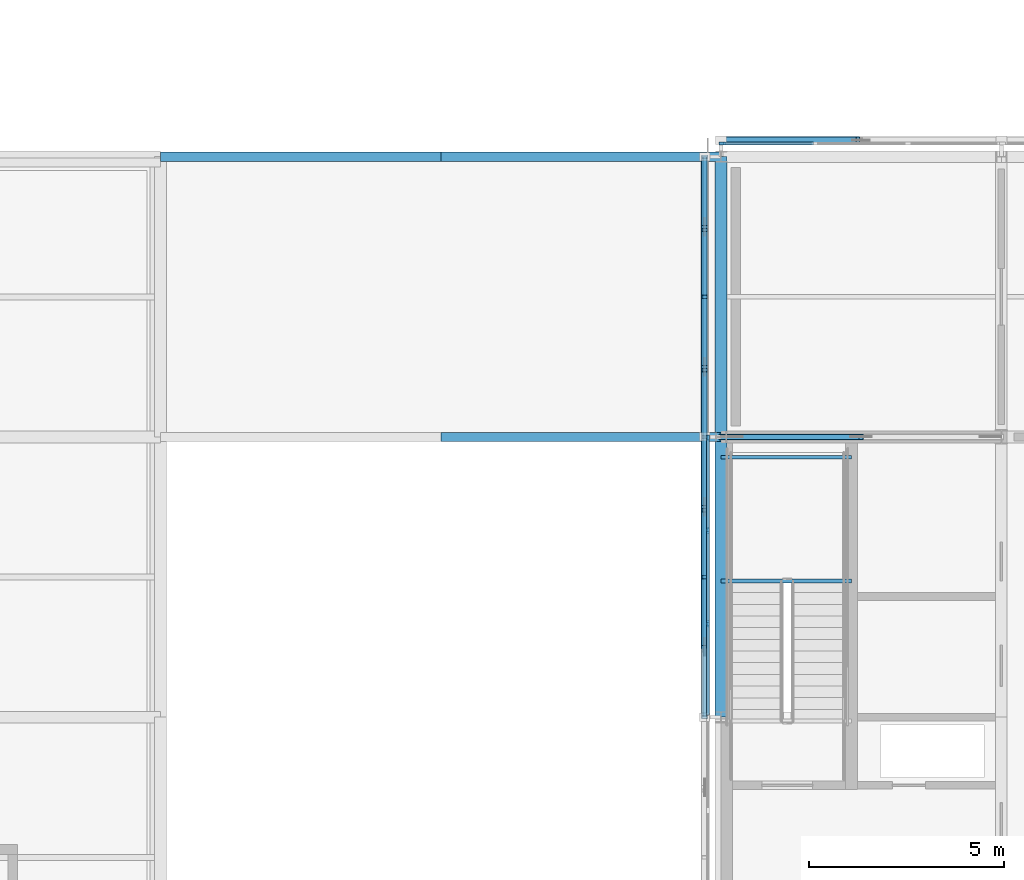
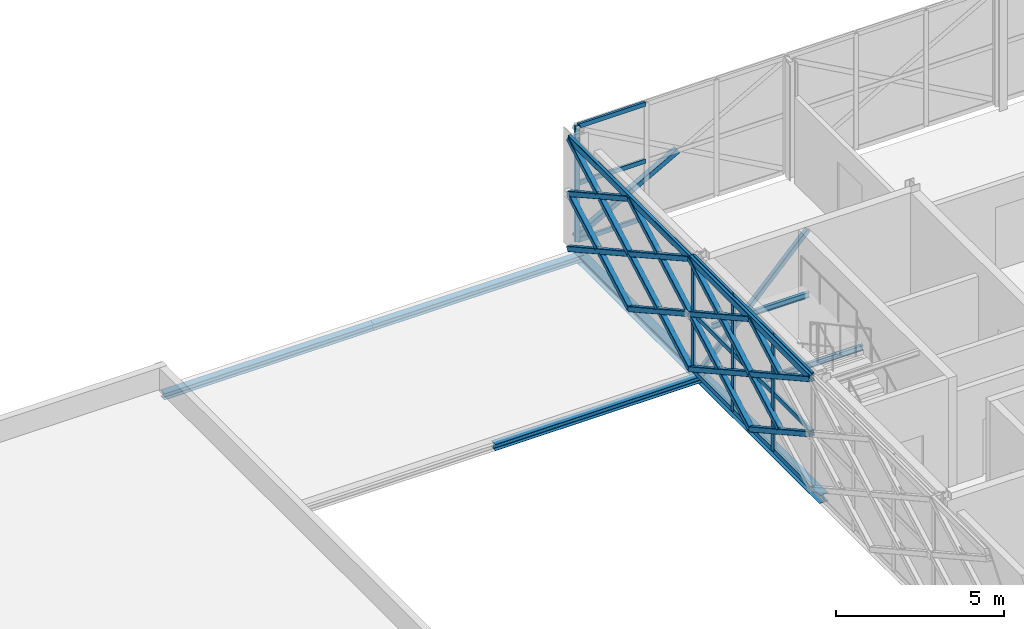
# One storey, part 31 of 103: 42 members, 7 beams, 2 elements without a shape of their own.
"""IFC4 building model written with IfcOpenShell, lengths in metres."""

from ifc_helpers import new_model, si_unit, direction, frame, origin, origin_2d, place, context, subcontext, project, spatial, rectangle, hollow_rectangle, i_section, extrude, material, material_profile, profile_set, type_object, element, aggregate, save


model = new_model("IFC4")

# Units and contexts
model_context = context("Model", 3, precision=1e-05, world=origin(), true_north=direction((0.0, 1.0)))
body_context = subcontext(model_context, "Body", "Model", "MODEL_VIEW")
ifc_project = project(units=[si_unit("LENGTHUNIT", "METRE"), si_unit("AREAUNIT", "SQUARE_METRE"), si_unit("VOLUMEUNIT", "CUBIC_METRE"), si_unit("PLANEANGLEUNIT", "RADIAN"), si_unit("MASSUNIT", "GRAM", prefix="KILO")], contexts=[model_context])

# Site, building, storey
site_placement = place(None, origin())
site = spatial("IfcSite", under=ifc_project, at=site_placement, CompositionType="ELEMENT")
building_placement = place(site_placement, origin())
building = spatial("IfcBuilding", under=site, at=building_placement, Name="Zlatovets Crest Museum", CompositionType="ELEMENT")
storey_placement = place(building_placement, frame((0.0, 0.0, 12.89990234375)))
storey = spatial("IfcBuildingStorey", under=building, at=storey_placement, Name="L03", CompositionType="ELEMENT", Elevation=12.89990234375)

# Beams
ifc_material_1 = material(Name="Structural steel S355J2", Category="steel")
ifc_material_profile_1 = material_profile(ifc_material_1, i_section(OverallWidth=0.300048828125, OverallDepth=0.31005859375, WebThickness=0.009033203125, FlangeThickness=0.015380859375, FilletRadius=0.027099609375, at=origin_2d()), Name="HEA 320")
ifc_profile_set_1 = profile_set([ifc_material_profile_1], Name="Structural steel S355J2")
beam_type_1 = type_object("IfcBeamType", Name="Beam_B-04", PredefinedType="BEAM", material=ifc_profile_set_1)
beam_1_placement = place(storey_placement, frame((57.60009765625, 14.39990234375, -0.39501953125), z_axis=(0.0, 1.0, 0.0), x_axis=(-1.0, 0.0, 0.0)))
element("IfcBeam", 1, at=beam_1_placement, inside=storey, type_object=beam_type_1, Name="V2 L03 Grid Beam B-04", PredefinedType="BEAM", context=body_context, shape_type="SweptSolid", body=[
    extrude(i_section(OverallWidth=0.300048828125, OverallDepth=0.31005859375, WebThickness=0.009033203125, FlangeThickness=0.015380859375, FilletRadius=0.027099609375, at=origin_2d()), origin(), (0.0, 0.0, 1.0), 7.2001953125),
])
beam_2_placement = place(storey_placement, frame((57.60009765625, 21.60009765625, -0.39501953125), z_axis=(0.0, 1.0, 0.0), x_axis=(-1.0, 0.0, 0.0)))
element("IfcBeam", 2, at=beam_2_placement, inside=storey, type_object=beam_type_1, Name="V2 L03 Grid Beam B-04", PredefinedType="BEAM", context=body_context, shape_type="SweptSolid", body=[
    extrude(i_section(OverallWidth=0.300048828125, OverallDepth=0.31005859375, WebThickness=0.009033203125, FlangeThickness=0.015380859375, FilletRadius=0.027099609375, at=origin_2d()), origin(), (0.0, 0.0, 1.0), 7.199951171875),
])
ifc_material_profile_2 = material_profile(ifc_material_1, i_section(OverallWidth=0.239990234375, OverallDepth=0.22998046875, WebThickness=0.007568359375, FlangeThickness=0.011962890625, FilletRadius=0.02099609375, at=origin_2d()), Name="HEA 240")
ifc_profile_set_2 = profile_set([ifc_material_profile_2], Name="Structural steel S355J2")
beam_type_2 = type_object("IfcBeamType", Name="Beam_B-06", PredefinedType="BEAM", material=ifc_profile_set_2)
beam_3_placement = place(storey_placement, frame((50.39990234375, 21.60009765625, -0.3349609375), z_axis=(1.0, 0.0, 0.0), x_axis=(0.0, 1.0, 0.0)))
element("IfcBeam", 3, at=beam_3_placement, inside=storey, type_object=beam_type_2, Name="South Forecourt Glazed Link Bridge Roof Edge Beam", PredefinedType="BEAM", context=body_context, shape_type="SweptSolid", body=[
    extrude(i_section(OverallWidth=0.239990234375, OverallDepth=0.22998046875, WebThickness=0.007568359375, FlangeThickness=0.011962890625, FilletRadius=0.02099609375, at=origin_2d()), origin(), (0.0, 0.0, 1.0), 7.2001953125),
])
beam_4_placement = place(storey_placement, frame((43.199951171875, 28.800048828125, -0.3349609375), z_axis=(1.0, 0.0, 0.0), x_axis=(0.0, 1.0, 0.0)))
element("IfcBeam", 4, at=beam_4_placement, inside=storey, type_object=beam_type_2, Name="South Forecourt Glazed Link Bridge Roof Edge Beam", PredefinedType="BEAM", context=body_context, shape_type="SweptSolid", body=[
    extrude(i_section(OverallWidth=0.239990234375, OverallDepth=0.22998046875, WebThickness=0.007568359375, FlangeThickness=0.011962890625, FilletRadius=0.02099609375, at=origin_2d()), origin(), (0.0, 0.0, 1.0), 7.199951171875),
])
beam_5_placement = place(storey_placement, frame((50.39990234375, 28.800048828125, -0.3349609375), z_axis=(1.0, 0.0, 0.0), x_axis=(0.0, 1.0, 0.0)))
element("IfcBeam", 5, at=beam_5_placement, inside=storey, type_object=beam_type_2, Name="South Forecourt Glazed Link Bridge Roof Edge Beam", PredefinedType="BEAM", context=body_context, shape_type="SweptSolid", body=[
    extrude(i_section(OverallWidth=0.239990234375, OverallDepth=0.22998046875, WebThickness=0.007568359375, FlangeThickness=0.011962890625, FilletRadius=0.02099609375, at=origin_2d()), origin(), (0.0, 0.0, 1.0), 7.2001953125),
])
ifc_material_profile_3 = material_profile(ifc_material_1, i_section(OverallWidth=0.10009765625, OverallDepth=0.199951171875, WebThickness=0.005615234375, FlangeThickness=0.008544921875, FilletRadius=0.011962890625, at=origin_2d()), Name="IPE 200")
ifc_profile_set_3 = profile_set([ifc_material_profile_3], Name="Structural steel S355J2")
beam_type_3 = type_object("IfcBeamType", Name="Beam_PR-02", PredefinedType="LINTEL", material=ifc_profile_set_3)
for number, where, z_axis, x_axis, name in (
    (6, (57.60009765625, 17.89990234375, 1.800048828125), (1.0, 0.0, 0.0), (0.0, 1.0, 0.0), "Core C2 L03 Half-Landing Support Beam"),
    (7, (57.60009765625, 21.080078125, 1.800048828125), (1.0, 0.0, 0.0), (0.0, 1.0, 0.0), "Core C2 L03 Half-Landing Support Beam"),
):
    element("IfcBeam", number, at=place(storey_placement, frame(where, z_axis=z_axis, x_axis=x_axis)), inside=storey, type_object=beam_type_3, Name=name, PredefinedType="LINTEL", context=body_context, shape_type="SweptSolid", body=[
        extrude(i_section(OverallWidth=0.10009765625, OverallDepth=0.199951171875, WebThickness=0.005615234375, FlangeThickness=0.008544921875, FilletRadius=0.011962890625, at=origin_2d()), origin(), (0.0, 0.0, 1.0), 3.349853515625),
    ])

# Curtain wall, member
ifc_material_2 = material(Name="Bronze-anodised aluminium and low-E triple glass", Category="aluminium")
curtain_wall_type_1 = type_object("IfcCurtainWallType", Name="CW_CW-V2-L03-M1", PredefinedType="NOTDEFINED", material=ifc_material_2)
curtain_wall_1_placement = place(storey_placement, origin())
curtain_wall_1 = element("IfcCurtainWall", 8, at=curtain_wall_1_placement, inside=storey, type_object=curtain_wall_type_1, Name="V2 L03 Secession Foyer Clear Curtain Wall", PredefinedType="NOTDEFINED")
ifc_material_3 = material(Name="Bronze-anodised aluminium EN AW-6060", Category="aluminium")
ifc_material_profile_4 = material_profile(ifc_material_3, rectangle(XDim=0.080078125, YDim=0.159912109375, at=origin_2d()), Name="ALU 80x160")
ifc_profile_set_4 = profile_set([ifc_material_profile_4], Name="Bronze-anodised aluminium EN AW-6060")
member_type_1 = type_object("IfcMemberType", Name="CWMull_M1", PredefinedType="MULLION", material=ifc_profile_set_4)
member_1_placement = place(storey_placement, frame((57.6298828125, 29.139892578125, 0.0), z_axis=(0.0, 0.0, 1.0), x_axis=(0.0, -1.0, 0.0)))
member_1 = element("IfcMember", 9, at=member_1_placement, type_object=member_type_1, Name="CW-V2-L03-M1 mullion 4", PredefinedType="MULLION", context=body_context, shape_type="SweptSolid", body=[
    extrude(rectangle(XDim=0.080078125, YDim=0.159912109375, at=origin_2d()), origin(), (0.0, 0.0, 1.0), 4.2001953125),
])

# Curtain wall, members
curtain_wall_type_2 = type_object("IfcCurtainWallType", Name="CW_CW-V2-L03-M3", PredefinedType="NOTDEFINED", material=ifc_material_2)
curtain_wall_2_placement = place(storey_placement, origin())
curtain_wall_2 = element("IfcCurtainWall", 10, at=curtain_wall_2_placement, inside=storey, type_object=curtain_wall_type_2, Name="V2 L03 Expressed Core Glazed Facade", PredefinedType="NOTDEFINED")
member_2_placement = place(storey_placement, frame((57.260009765625, 21.570068359375, 0.0), z_axis=(0.0, 0.0, 1.0), x_axis=(1.0, 0.0, 0.0)))
member_2 = element("IfcMember", 11, at=member_2_placement, type_object=member_type_1, Name="CW-V2-L03-M3 mullion 1", PredefinedType="MULLION", context=body_context, shape_type="SweptSolid", body=[
    extrude(rectangle(XDim=0.080078125, YDim=0.159912109375, at=origin_2d()), origin(), (0.0, 0.0, 1.0), 4.2001953125),
])
member_3_placement = place(storey_placement, frame((57.260009765625, 19.199951171875, 0.0), z_axis=(0.0, 0.0, 1.0), x_axis=(1.0, 0.0, 0.0)))
member_3 = element("IfcMember", 12, at=member_3_placement, type_object=member_type_1, Name="CW-V2-L03-M3 mullion 2", PredefinedType="MULLION", context=body_context, shape_type="SweptSolid", body=[
    extrude(rectangle(XDim=0.080078125, YDim=0.159912109375, at=origin_2d()), origin(), (0.0, 0.0, 1.0), 4.2001953125),
])
member_4_placement = place(storey_placement, frame((57.260009765625, 16.800048828125, 0.0), z_axis=(0.0, 0.0, 1.0), x_axis=(1.0, 0.0, 0.0)))
member_4 = element("IfcMember", 13, at=member_4_placement, type_object=member_type_1, Name="CW-V2-L03-M3 mullion 3", PredefinedType="MULLION", context=body_context, shape_type="SweptSolid", body=[
    extrude(rectangle(XDim=0.080078125, YDim=0.159912109375, at=origin_2d()), origin(), (0.0, 0.0, 1.0), 4.2001953125),
])

# Member
ifc_material_profile_5 = material_profile(ifc_material_3, rectangle(XDim=0.080078125, YDim=0.159912109375, at=origin_2d()), Name="ALU 80x160")
ifc_profile_set_5 = profile_set([ifc_material_profile_5], Name="Bronze-anodised aluminium EN AW-6060")
member_type_2 = type_object("IfcMemberType", Name="CWTrans_T1", PredefinedType="USERDEFINED", material=ifc_profile_set_5)
member_5_placement = place(storey_placement, frame((59.969970703125, 29.139892578125, 0.030029296875), z_axis=(-1.0, 0.0, 0.0), x_axis=(0.0, -1.0, 0.0)))
member_5 = element("IfcMember", 14, at=member_5_placement, type_object=member_type_2, Name="CW-V2-L03-M1 transom 3.1", ObjectType="TRANSOM", PredefinedType="USERDEFINED", context=body_context, shape_type="SweptSolid", body=[
    extrude(rectangle(XDim=0.080078125, YDim=0.159912109375, at=origin_2d()), origin(), (0.0, 0.0, 1.0), 2.31005859375),
])

member_6_placement = place(storey_placement, frame((59.969970703125, 29.139892578125, 2.10009765625), z_axis=(-1.0, 0.0, 0.0), x_axis=(0.0, -1.0, 0.0)))
member_6 = element("IfcMember", 15, at=member_6_placement, type_object=member_type_2, Name="CW-V2-L03-M1 transom 3.2", ObjectType="TRANSOM", PredefinedType="USERDEFINED", context=body_context, shape_type="SweptSolid", body=[
    extrude(rectangle(XDim=0.080078125, YDim=0.159912109375, at=origin_2d()), origin(), (0.0, 0.0, 1.0), 2.31005859375),
])

member_7_placement = place(storey_placement, frame((59.969970703125, 29.139892578125, 4.170166015625), z_axis=(-1.0, 0.0, 0.0), x_axis=(0.0, -1.0, 0.0)))
member_7 = element("IfcMember", 16, at=member_7_placement, type_object=member_type_2, Name="CW-V2-L03-M1 transom 3.3", ObjectType="TRANSOM", PredefinedType="USERDEFINED", context=body_context, shape_type="SweptSolid", body=[
    extrude(rectangle(XDim=0.080078125, YDim=0.159912109375, at=origin_2d()), origin(), (0.0, 0.0, 1.0), 2.31005859375),
])

aggregate(curtain_wall_1, [member_1, member_5, member_6, member_7])

member_8_placement = place(storey_placement, frame((57.260009765625, 21.5400390625, 0.030029296875), z_axis=(0.0, -1.0, 0.0), x_axis=(1.0, 0.0, 0.0)))
member_8 = element("IfcMember", 17, at=member_8_placement, type_object=member_type_2, Name="CW-V2-L03-M3 transom 1.1", ObjectType="TRANSOM", PredefinedType="USERDEFINED", context=body_context, shape_type="SweptSolid", body=[
    extrude(rectangle(XDim=0.080078125, YDim=0.159912109375, at=origin_2d()), origin(), (0.0, 0.0, 1.0), 2.31005859375),
])

member_9_placement = place(storey_placement, frame((57.260009765625, 21.5400390625, 2.10009765625), z_axis=(0.0, -1.0, 0.0), x_axis=(1.0, 0.0, 0.0)))
member_9 = element("IfcMember", 18, at=member_9_placement, type_object=member_type_2, Name="CW-V2-L03-M3 transom 1.2", ObjectType="TRANSOM", PredefinedType="USERDEFINED", context=body_context, shape_type="SweptSolid", body=[
    extrude(rectangle(XDim=0.080078125, YDim=0.159912109375, at=origin_2d()), origin(), (0.0, 0.0, 1.0), 2.31005859375),
])

member_10_placement = place(storey_placement, frame((57.260009765625, 21.5400390625, 4.170166015625), z_axis=(0.0, -1.0, 0.0), x_axis=(1.0, 0.0, 0.0)))
member_10 = element("IfcMember", 19, at=member_10_placement, type_object=member_type_2, Name="CW-V2-L03-M3 transom 1.3", ObjectType="TRANSOM", PredefinedType="USERDEFINED", context=body_context, shape_type="SweptSolid", body=[
    extrude(rectangle(XDim=0.080078125, YDim=0.159912109375, at=origin_2d()), origin(), (0.0, 0.0, 1.0), 2.31005859375),
])

member_11_placement = place(storey_placement, frame((57.260009765625, 19.169921875, 0.030029296875), z_axis=(0.0, -1.0, 0.0), x_axis=(1.0, 0.0, 0.0)))
member_11 = element("IfcMember", 20, at=member_11_placement, type_object=member_type_2, Name="CW-V2-L03-M3 transom 2.1", ObjectType="TRANSOM", PredefinedType="USERDEFINED", context=body_context, shape_type="SweptSolid", body=[
    extrude(rectangle(XDim=0.080078125, YDim=0.159912109375, at=origin_2d()), origin(), (0.0, 0.0, 1.0), 2.33984375),
])

member_12_placement = place(storey_placement, frame((57.260009765625, 19.169921875, 2.10009765625), z_axis=(0.0, -1.0, 0.0), x_axis=(1.0, 0.0, 0.0)))
member_12 = element("IfcMember", 21, at=member_12_placement, type_object=member_type_2, Name="CW-V2-L03-M3 transom 2.2", ObjectType="TRANSOM", PredefinedType="USERDEFINED", context=body_context, shape_type="SweptSolid", body=[
    extrude(rectangle(XDim=0.080078125, YDim=0.159912109375, at=origin_2d()), origin(), (0.0, 0.0, 1.0), 2.33984375),
])

member_13_placement = place(storey_placement, frame((57.260009765625, 19.169921875, 4.170166015625), z_axis=(0.0, -1.0, 0.0), x_axis=(1.0, 0.0, 0.0)))
member_13 = element("IfcMember", 22, at=member_13_placement, type_object=member_type_2, Name="CW-V2-L03-M3 transom 2.3", ObjectType="TRANSOM", PredefinedType="USERDEFINED", context=body_context, shape_type="SweptSolid", body=[
    extrude(rectangle(XDim=0.080078125, YDim=0.159912109375, at=origin_2d()), origin(), (0.0, 0.0, 1.0), 2.33984375),
])

member_14_placement = place(storey_placement, frame((57.260009765625, 16.77001953125, 0.030029296875), z_axis=(0.0, -1.0, 0.0), x_axis=(1.0, 0.0, 0.0)))
member_14 = element("IfcMember", 23, at=member_14_placement, type_object=member_type_2, Name="CW-V2-L03-M3 transom 3.1", ObjectType="TRANSOM", PredefinedType="USERDEFINED", context=body_context, shape_type="SweptSolid", body=[
    extrude(rectangle(XDim=0.080078125, YDim=0.159912109375, at=origin_2d()), origin(), (0.0, 0.0, 1.0), 2.31005859375),
])

member_15_placement = place(storey_placement, frame((57.260009765625, 16.77001953125, 2.10009765625), z_axis=(0.0, -1.0, 0.0), x_axis=(1.0, 0.0, 0.0)))
member_15 = element("IfcMember", 24, at=member_15_placement, type_object=member_type_2, Name="CW-V2-L03-M3 transom 3.2", ObjectType="TRANSOM", PredefinedType="USERDEFINED", context=body_context, shape_type="SweptSolid", body=[
    extrude(rectangle(XDim=0.080078125, YDim=0.159912109375, at=origin_2d()), origin(), (0.0, 0.0, 1.0), 2.31005859375),
])

member_16_placement = place(storey_placement, frame((57.260009765625, 16.77001953125, 4.170166015625), z_axis=(0.0, -1.0, 0.0), x_axis=(1.0, 0.0, 0.0)))
member_16 = element("IfcMember", 25, at=member_16_placement, type_object=member_type_2, Name="CW-V2-L03-M3 transom 3.3", ObjectType="TRANSOM", PredefinedType="USERDEFINED", context=body_context, shape_type="SweptSolid", body=[
    extrude(rectangle(XDim=0.080078125, YDim=0.159912109375, at=origin_2d()), origin(), (0.0, 0.0, 1.0), 2.31005859375),
])

aggregate(curtain_wall_2, [member_2, member_3, member_4, member_8, member_9, member_10, member_11, member_12, member_13, member_14, member_15, member_16])

# Members
ifc_material_4 = material(Name="Weathering bronze-steel S355J2W", Category="steel")
ifc_material_profile_6 = material_profile(ifc_material_4, hollow_rectangle(XDim=0.179931640625, YDim=0.179931640625, WallThickness=0.010009765625, InnerFilletRadius=0.010009765625, OuterFilletRadius=0.02001953125, at=origin_2d()), Name="SHS 180x180x10.0")
ifc_profile_set_6 = profile_set([ifc_material_profile_6], Name="Weathering bronze-steel S355J2W")
member_type_3 = type_object("IfcMemberType", Name="Lattice_XL-01", PredefinedType="BRACE", material=ifc_profile_set_6)
member_17_placement = place(storey_placement, frame((57.179931640625, 28.800048828125, 0.10009765625), z_axis=(0.0, -0.874162868644, 0.485632864501), x_axis=(1.0, 0.0, 0.0)))
element("IfcMember", 26, at=member_17_placement, inside=storey, type_object=member_type_3, Name="Continuous Bronze Lattice Diagonal", PredefinedType="BRACE", context=body_context, shape_type="SweptSolid", body=[
    extrude(hollow_rectangle(XDim=0.179931640625, YDim=0.179931640625, WallThickness=0.010009765625, InnerFilletRadius=0.010009765625, OuterFilletRadius=0.02001953125, at=origin_2d()), origin(), (0.0, 0.0, 1.0), 4.118408203125),
])
for number, where, z_axis, x_axis, name in (
    (27, (57.179931640625, 28.800048828125, 2.10009765625), (0.0, -0.874169001841, -0.485621824284), (1.0, 0.0, 0.0), "Split Crossing Bronze Lattice Diagonal Upper"),
    (28, (57.179931640625, 26.9169921875, 1.053955078125), (0.0, -0.874169001841, -0.485621824284), (1.0, 0.0, 0.0), "Split Crossing Bronze Lattice Diagonal Lower"),
):
    element("IfcMember", number, at=place(storey_placement, frame(where, z_axis=z_axis, x_axis=x_axis)), inside=storey, type_object=member_type_3, Name=name, PredefinedType="BRACE", context=body_context, shape_type="SweptSolid", body=[
        extrude(hollow_rectangle(XDim=0.179931640625, YDim=0.179931640625, WallThickness=0.010009765625, InnerFilletRadius=0.010009765625, OuterFilletRadius=0.02001953125, at=origin_2d()), origin(), (0.0, 0.0, 1.0), 1.964111328125),
    ])
member_18_placement = place(storey_placement, frame((57.179931640625, 25.199951171875, 0.10009765625), z_axis=(0.0, -0.874148886685, 0.485658031857), x_axis=(1.0, 0.0, 0.0)))
element("IfcMember", 29, at=member_18_placement, inside=storey, type_object=member_type_3, Name="Continuous Bronze Lattice Diagonal", PredefinedType="BRACE", context=body_context, shape_type="SweptSolid", body=[
    extrude(hollow_rectangle(XDim=0.179931640625, YDim=0.179931640625, WallThickness=0.010009765625, InnerFilletRadius=0.010009765625, OuterFilletRadius=0.02001953125, at=origin_2d()), origin(), (0.0, 0.0, 1.0), 4.1181640625),
])
member_19_placement = place(storey_placement, frame((57.179931640625, 25.199951171875, 2.10009765625), z_axis=(0.0, -0.874169001841, -0.485621824284), x_axis=(1.0, 0.0, 0.0)))
element("IfcMember", 30, at=member_19_placement, inside=storey, type_object=member_type_3, Name="Split Crossing Bronze Lattice Diagonal Upper", PredefinedType="BRACE", context=body_context, shape_type="SweptSolid", body=[
    extrude(hollow_rectangle(XDim=0.179931640625, YDim=0.179931640625, WallThickness=0.010009765625, InnerFilletRadius=0.010009765625, OuterFilletRadius=0.02001953125, at=origin_2d()), origin(), (0.0, 0.0, 1.0), 1.964111328125),
])
member_20_placement = place(storey_placement, frame((57.179931640625, 23.31689453125, 1.053955078125), z_axis=(0.0, -0.874139684676, -0.48567459443), x_axis=(1.0, 0.0, 0.0)))
element("IfcMember", 31, at=member_20_placement, inside=storey, type_object=member_type_3, Name="Split Crossing Bronze Lattice Diagonal Lower", PredefinedType="BRACE", context=body_context, shape_type="SweptSolid", body=[
    extrude(hollow_rectangle(XDim=0.179931640625, YDim=0.179931640625, WallThickness=0.010009765625, InnerFilletRadius=0.010009765625, OuterFilletRadius=0.02001953125, at=origin_2d()), origin(), (0.0, 0.0, 1.0), 1.9638671875),
])
member_21_placement = place(storey_placement, frame((57.179931640625, 28.800048828125, 2.10009765625), z_axis=(0.0, -0.874162868644, 0.485632864501), x_axis=(1.0, 0.0, 0.0)))
element("IfcMember", 32, at=member_21_placement, inside=storey, type_object=member_type_3, Name="Continuous Bronze Lattice Diagonal", PredefinedType="BRACE", context=body_context, shape_type="SweptSolid", body=[
    extrude(hollow_rectangle(XDim=0.179931640625, YDim=0.179931640625, WallThickness=0.010009765625, InnerFilletRadius=0.010009765625, OuterFilletRadius=0.02001953125, at=origin_2d()), origin(), (0.0, 0.0, 1.0), 4.118408203125),
])
for number, where, z_axis, x_axis, name in (
    (33, (57.179931640625, 28.800048828125, 4.10009765625), (0.0, -0.874169001841, -0.485621824284), (1.0, 0.0, 0.0), "Split Crossing Bronze Lattice Diagonal Upper"),
    (34, (57.179931640625, 26.9169921875, 3.053955078125), (0.0, -0.874169001841, -0.485621824284), (1.0, 0.0, 0.0), "Split Crossing Bronze Lattice Diagonal Lower"),
):
    element("IfcMember", number, at=place(storey_placement, frame(where, z_axis=z_axis, x_axis=x_axis)), inside=storey, type_object=member_type_3, Name=name, PredefinedType="BRACE", context=body_context, shape_type="SweptSolid", body=[
        extrude(hollow_rectangle(XDim=0.179931640625, YDim=0.179931640625, WallThickness=0.010009765625, InnerFilletRadius=0.010009765625, OuterFilletRadius=0.02001953125, at=origin_2d()), origin(), (0.0, 0.0, 1.0), 1.964111328125),
    ])
member_22_placement = place(storey_placement, frame((57.179931640625, 25.199951171875, 2.10009765625), z_axis=(0.0, -0.874148886685, 0.485658031857), x_axis=(1.0, 0.0, 0.0)))
element("IfcMember", 35, at=member_22_placement, inside=storey, type_object=member_type_3, Name="Continuous Bronze Lattice Diagonal", PredefinedType="BRACE", context=body_context, shape_type="SweptSolid", body=[
    extrude(hollow_rectangle(XDim=0.179931640625, YDim=0.179931640625, WallThickness=0.010009765625, InnerFilletRadius=0.010009765625, OuterFilletRadius=0.02001953125, at=origin_2d()), origin(), (0.0, 0.0, 1.0), 4.1181640625),
])
member_23_placement = place(storey_placement, frame((57.179931640625, 25.199951171875, 4.10009765625), z_axis=(0.0, -0.874169001841, -0.485621824284), x_axis=(1.0, 0.0, 0.0)))
element("IfcMember", 36, at=member_23_placement, inside=storey, type_object=member_type_3, Name="Split Crossing Bronze Lattice Diagonal Upper", PredefinedType="BRACE", context=body_context, shape_type="SweptSolid", body=[
    extrude(hollow_rectangle(XDim=0.179931640625, YDim=0.179931640625, WallThickness=0.010009765625, InnerFilletRadius=0.010009765625, OuterFilletRadius=0.02001953125, at=origin_2d()), origin(), (0.0, 0.0, 1.0), 1.964111328125),
])
member_24_placement = place(storey_placement, frame((57.179931640625, 23.31689453125, 3.053955078125), z_axis=(0.0, -0.874139684676, -0.48567459443), x_axis=(1.0, 0.0, 0.0)))
element("IfcMember", 37, at=member_24_placement, inside=storey, type_object=member_type_3, Name="Split Crossing Bronze Lattice Diagonal Lower", PredefinedType="BRACE", context=body_context, shape_type="SweptSolid", body=[
    extrude(hollow_rectangle(XDim=0.179931640625, YDim=0.179931640625, WallThickness=0.010009765625, InnerFilletRadius=0.010009765625, OuterFilletRadius=0.02001953125, at=origin_2d()), origin(), (0.0, 0.0, 1.0), 1.9638671875),
])
member_25_placement = place(storey_placement, frame((57.179931640625, 21.60009765625, 0.10009765625), z_axis=(0.0, -0.874162868644, 0.485632864501), x_axis=(1.0, 0.0, 0.0)))
element("IfcMember", 38, at=member_25_placement, inside=storey, type_object=member_type_3, Name="Continuous Bronze Lattice Diagonal", PredefinedType="BRACE", context=body_context, shape_type="SweptSolid", body=[
    extrude(hollow_rectangle(XDim=0.179931640625, YDim=0.179931640625, WallThickness=0.010009765625, InnerFilletRadius=0.010009765625, OuterFilletRadius=0.02001953125, at=origin_2d()), origin(), (0.0, 0.0, 1.0), 4.118408203125),
])
for number, where, z_axis, x_axis, name in (
    (39, (57.179931640625, 21.60009765625, 2.10009765625), (0.0, -0.874169001841, -0.485621824284), (1.0, 0.0, 0.0), "Split Crossing Bronze Lattice Diagonal Upper"),
    (40, (57.179931640625, 19.717041015625, 1.053955078125), (0.0, -0.874169001841, -0.485621824284), (1.0, 0.0, 0.0), "Split Crossing Bronze Lattice Diagonal Lower"),
):
    element("IfcMember", number, at=place(storey_placement, frame(where, z_axis=z_axis, x_axis=x_axis)), inside=storey, type_object=member_type_3, Name=name, PredefinedType="BRACE", context=body_context, shape_type="SweptSolid", body=[
        extrude(hollow_rectangle(XDim=0.179931640625, YDim=0.179931640625, WallThickness=0.010009765625, InnerFilletRadius=0.010009765625, OuterFilletRadius=0.02001953125, at=origin_2d()), origin(), (0.0, 0.0, 1.0), 1.964111328125),
    ])
member_26_placement = place(storey_placement, frame((57.179931640625, 18.0, 0.10009765625), z_axis=(0.0, -0.874162868644, 0.485632864501), x_axis=(1.0, 0.0, 0.0)))
element("IfcMember", 41, at=member_26_placement, inside=storey, type_object=member_type_3, Name="Continuous Bronze Lattice Diagonal", PredefinedType="BRACE", context=body_context, shape_type="SweptSolid", body=[
    extrude(hollow_rectangle(XDim=0.179931640625, YDim=0.179931640625, WallThickness=0.010009765625, InnerFilletRadius=0.010009765625, OuterFilletRadius=0.02001953125, at=origin_2d()), origin(), (0.0, 0.0, 1.0), 4.118408203125),
])
member_27_placement = place(storey_placement, frame((57.179931640625, 18.0, 2.10009765625), z_axis=(0.0, -0.874169001841, -0.485621824284), x_axis=(1.0, 0.0, 0.0)))
element("IfcMember", 42, at=member_27_placement, inside=storey, type_object=member_type_3, Name="Split Crossing Bronze Lattice Diagonal Upper", PredefinedType="BRACE", context=body_context, shape_type="SweptSolid", body=[
    extrude(hollow_rectangle(XDim=0.179931640625, YDim=0.179931640625, WallThickness=0.010009765625, InnerFilletRadius=0.010009765625, OuterFilletRadius=0.02001953125, at=origin_2d()), origin(), (0.0, 0.0, 1.0), 1.964111328125),
])
member_28_placement = place(storey_placement, frame((57.179931640625, 21.60009765625, 2.10009765625), z_axis=(0.0, -0.874162868644, 0.485632864501), x_axis=(1.0, 0.0, 0.0)))
element("IfcMember", 43, at=member_28_placement, inside=storey, type_object=member_type_3, Name="Continuous Bronze Lattice Diagonal", PredefinedType="BRACE", context=body_context, shape_type="SweptSolid", body=[
    extrude(hollow_rectangle(XDim=0.179931640625, YDim=0.179931640625, WallThickness=0.010009765625, InnerFilletRadius=0.010009765625, OuterFilletRadius=0.02001953125, at=origin_2d()), origin(), (0.0, 0.0, 1.0), 4.118408203125),
])
for number, where, z_axis, x_axis, name in (
    (44, (57.179931640625, 21.60009765625, 4.10009765625), (0.0, -0.874169001841, -0.485621824284), (1.0, 0.0, 0.0), "Split Crossing Bronze Lattice Diagonal Upper"),
    (45, (57.179931640625, 19.717041015625, 3.053955078125), (0.0, -0.874169001841, -0.485621824284), (1.0, 0.0, 0.0), "Split Crossing Bronze Lattice Diagonal Lower"),
):
    element("IfcMember", number, at=place(storey_placement, frame(where, z_axis=z_axis, x_axis=x_axis)), inside=storey, type_object=member_type_3, Name=name, PredefinedType="BRACE", context=body_context, shape_type="SweptSolid", body=[
        extrude(hollow_rectangle(XDim=0.179931640625, YDim=0.179931640625, WallThickness=0.010009765625, InnerFilletRadius=0.010009765625, OuterFilletRadius=0.02001953125, at=origin_2d()), origin(), (0.0, 0.0, 1.0), 1.964111328125),
    ])
member_29_placement = place(storey_placement, frame((57.179931640625, 18.0, 2.10009765625), z_axis=(0.0, -0.874162868644, 0.485632864501), x_axis=(1.0, 0.0, 0.0)))
element("IfcMember", 46, at=member_29_placement, inside=storey, type_object=member_type_3, Name="Continuous Bronze Lattice Diagonal", PredefinedType="BRACE", context=body_context, shape_type="SweptSolid", body=[
    extrude(hollow_rectangle(XDim=0.179931640625, YDim=0.179931640625, WallThickness=0.010009765625, InnerFilletRadius=0.010009765625, OuterFilletRadius=0.02001953125, at=origin_2d()), origin(), (0.0, 0.0, 1.0), 4.118408203125),
])
member_30_placement = place(storey_placement, frame((57.179931640625, 18.0, 4.10009765625), z_axis=(0.0, -0.874169001841, -0.485621824284), x_axis=(1.0, 0.0, 0.0)))
element("IfcMember", 47, at=member_30_placement, inside=storey, type_object=member_type_3, Name="Split Crossing Bronze Lattice Diagonal Upper", PredefinedType="BRACE", context=body_context, shape_type="SweptSolid", body=[
    extrude(hollow_rectangle(XDim=0.179931640625, YDim=0.179931640625, WallThickness=0.010009765625, InnerFilletRadius=0.010009765625, OuterFilletRadius=0.02001953125, at=origin_2d()), origin(), (0.0, 0.0, 1.0), 1.964111328125),
])
ifc_material_profile_7 = material_profile(ifc_material_4, hollow_rectangle(XDim=0.199951171875, YDim=0.199951171875, WallThickness=0.012451171875, InnerFilletRadius=0.012451171875, OuterFilletRadius=0.02490234375, at=origin_2d()), Name="SHS 200x200x12.5")
ifc_profile_set_7 = profile_set([ifc_material_profile_7], Name="Weathering bronze-steel S355J2W")
member_type_4 = type_object("IfcMemberType", Name="Lattice_XL-02", PredefinedType="BRACE", material=ifc_profile_set_7)
member_31_placement = place(storey_placement, frame((61.116943359375, 29.219970703125, 2.053955078125), z_axis=(-0.874151551165, 0.0, -0.485653235958), x_axis=(0.0, -1.0, 0.0)))
element("IfcMember", 48, at=member_31_placement, inside=storey, type_object=member_type_4, Name="Split Crossing Bronze Lattice Diagonal Lower", PredefinedType="BRACE", context=body_context, shape_type="SweptSolid", body=[
    extrude(hollow_rectangle(XDim=0.199951171875, YDim=0.199951171875, WallThickness=0.012451171875, InnerFilletRadius=0.012451171875, OuterFilletRadius=0.02490234375, at=origin_2d()), origin(), (0.0, 0.0, 1.0), 4.023193359375),
])
ifc_material_profile_8 = material_profile(ifc_material_4, hollow_rectangle(XDim=0.1201171875, YDim=0.239990234375, WallThickness=0.010009765625, InnerFilletRadius=0.010009765625, OuterFilletRadius=0.02001953125, at=origin_2d()), Name="RHS 120x240x10.0")
ifc_profile_set_8 = profile_set([ifc_material_profile_8], Name="Weathering bronze-steel S355J2W")
member_type_5 = type_object("IfcMemberType", Name="Lattice_XL-04", PredefinedType="CHORD", material=ifc_profile_set_8)
member_32_placement = place(storey_placement, frame((57.179931640625, 28.800048828125, 4.10009765625), z_axis=(0.0, -1.0, 0.0), x_axis=(1.0, 0.0, 0.0)))
element("IfcMember", 49, at=member_32_placement, inside=storey, type_object=member_type_5, Name="Art Nouveau Woven Cage Collector Ring Chord", PredefinedType="CHORD", context=body_context, shape_type="SweptSolid", body=[
    extrude(hollow_rectangle(XDim=0.1201171875, YDim=0.239990234375, WallThickness=0.010009765625, InnerFilletRadius=0.010009765625, OuterFilletRadius=0.02001953125, at=origin_2d()), origin(), (0.0, 0.0, 1.0), 7.199951171875),
])
member_33_placement = place(storey_placement, frame((57.179931640625, 21.60009765625, 4.10009765625), z_axis=(0.0, -1.0, 0.0), x_axis=(1.0, 0.0, 0.0)))
element("IfcMember", 50, at=member_33_placement, inside=storey, type_object=member_type_5, Name="Art Nouveau Woven Cage Collector Ring Chord", PredefinedType="CHORD", context=body_context, shape_type="SweptSolid", body=[
    extrude(hollow_rectangle(XDim=0.1201171875, YDim=0.239990234375, WallThickness=0.010009765625, InnerFilletRadius=0.010009765625, OuterFilletRadius=0.02001953125, at=origin_2d()), origin(), (0.0, 0.0, 1.0), 7.2001953125),
])
ifc_material_profile_9 = material_profile(ifc_material_1, hollow_rectangle(XDim=0.159912109375, YDim=0.159912109375, WallThickness=0.010009765625, InnerFilletRadius=0.010009765625, OuterFilletRadius=0.02001953125, at=origin_2d()), Name="SHS 160x160x10.0")
ifc_profile_set_9 = profile_set([ifc_material_profile_9], Name="Structural steel S355J2")
member_type_6 = type_object("IfcMemberType", Name="Member_BR-03", PredefinedType="BRACE", material=ifc_profile_set_9)
member_34_placement = place(storey_placement, frame((57.60009765625, 21.60009765625, 0.0), z_axis=(0.692517163318, 0.0, 0.721401399021), x_axis=(0.0, 1.0, 0.0)))
element("IfcMember", 51, at=member_34_placement, inside=storey, type_object=member_type_6, Name="V2 L03 Concentric Seismic Brace", PredefinedType="BRACE", context=body_context, shape_type="SweptSolid", body=[
    extrude(hollow_rectangle(XDim=0.159912109375, YDim=0.159912109375, WallThickness=0.010009765625, InnerFilletRadius=0.010009765625, OuterFilletRadius=0.02001953125, at=origin_2d()), origin(), (0.0, 0.0, 1.0), 5.1982421875),
])

save(model, "model.ifc")
